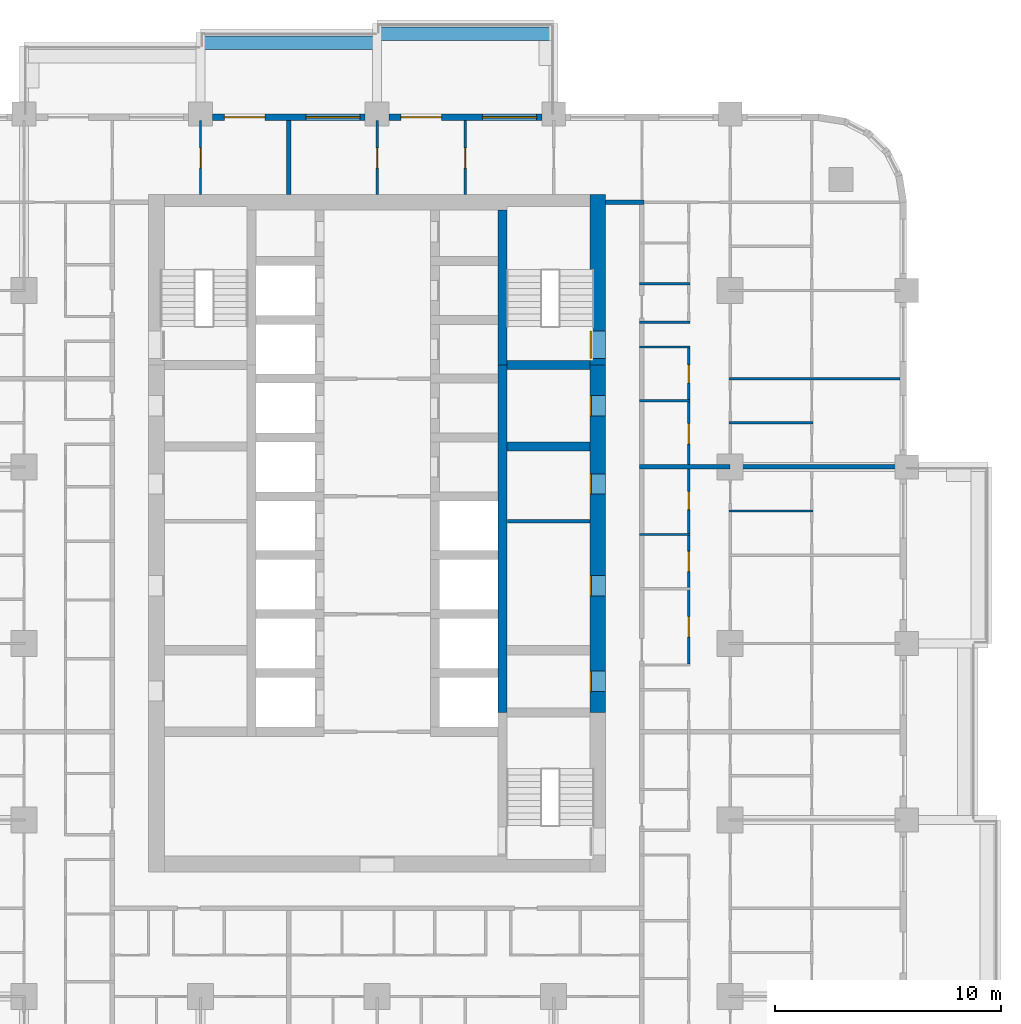
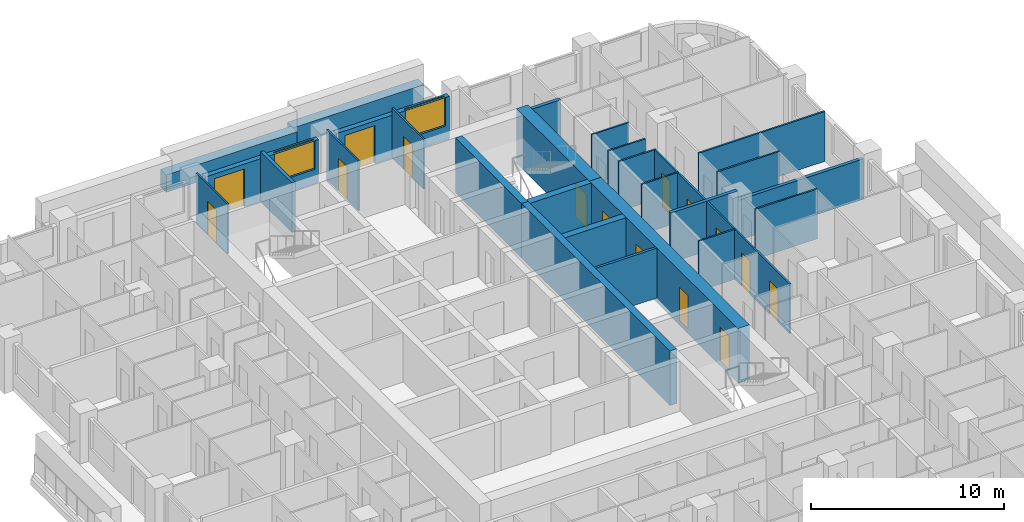
# One storey, part 12 of 17: 27 walls, 15 doors, 2 windows, 17 openings.
"""IFC4 building model written with IfcOpenShell, lengths in metres."""

from ifc_helpers import new_model, si_unit, direction, frame, frame_2d, origin, place, context, subcontext, project, spatial, rectangle, extrude, material, layer, layer_set, type_object, element, fill, save


model = new_model("IFC4")

# Units and contexts
model_context = context("Model", 3, precision=1e-05, world=origin(), true_north=direction((0.0, 1.0)))
body_context = subcontext(model_context, "Body", "Model", "MODEL_VIEW")
ifc_project = project(units=[si_unit("LENGTHUNIT", "METRE"), si_unit("AREAUNIT", "SQUARE_METRE"), si_unit("VOLUMEUNIT", "CUBIC_METRE"), si_unit("PLANEANGLEUNIT", "RADIAN"), si_unit("MASSUNIT", "GRAM", prefix="KILO")], contexts=[model_context])

# Site, building, storey
site_placement = place(None, origin())
site = spatial("IfcSite", under=ifc_project, at=site_placement, CompositionType="ELEMENT")
building_placement = place(site_placement, origin())
building = spatial("IfcBuilding", under=site, at=building_placement, Name="Ludao Terraces", CompositionType="ELEMENT")
storey_placement = place(building_placement, frame((0.0, 0.0, 51.199951171875)))
storey = spatial("IfcBuildingStorey", under=building, at=storey_placement, Name="L13", CompositionType="ELEMENT", Elevation=51.199951171875)

# Wall, openings, doors
ifc_material_1 = material(Name="Concrete C70", Category="concrete")
ifc_layer_1 = layer(ifc_material_1, 0.699951171875)
ifc_layer_set_1 = layer_set([ifc_layer_1], Name="Core wall 700 C70")
wall_type_1 = type_object("IfcWallType", Name="Core wall 700 C70", PredefinedType="SOLIDWALL", material=ifc_layer_set_1)
wall_1_placement = place(storey_placement, frame((94.75, 61.949951171875, -0.300048828125), z_axis=(0.0, 0.0, 1.0), x_axis=(0.0, 1.0, 0.0)))
wall_1 = element("IfcWall", 1, at=wall_1_placement, inside=storey, type_object=wall_type_1, Name="Core wall L13 outer-E", PredefinedType="SOLIDWALL", context=body_context, shape_type="SweptSolid", body=[
    extrude(rectangle(XDim=15.35009765625, YDim=0.699951171875, at=frame_2d((7.675048828125, 0.0))), origin(), (0.0, 0.0, 1.0), 3.4501953125),
])
opening_1_placement = place(wall_1_placement, frame((0.925048828125, 0.0, 0.300048828125)))
opening_1 = element("IfcOpeningElement", 2, at=opening_1_placement, cuts=wall_1, Name="Opening R04-081", PredefinedType="OPENING", context=body_context, shape_type="SweptSolid", body=[
    extrude(rectangle(XDim=0.89990234375, YDim=2.10009765625, at=frame_2d((0.449951171875, 1.050048828125))), frame((0.0, 0.35986328125, 0.0), z_axis=(0.0, -1.0, 0.0), x_axis=(1.0, 0.0, 0.0)), (0.0, 0.0, 1.0), 0.719970703125),
])
opening_2_placement = place(wall_1_placement, frame((5.14990234375, 0.0, 0.300048828125)))
opening_2 = element("IfcOpeningElement", 3, at=opening_2_placement, cuts=wall_1, Name="Opening R04-091", PredefinedType="OPENING", context=body_context, shape_type="SweptSolid", body=[
    extrude(rectangle(XDim=0.89990234375, YDim=2.10009765625, at=frame_2d((0.449951171875, 1.050048828125))), frame((0.0, 0.35986328125, 0.0), z_axis=(0.0, -1.0, 0.0), x_axis=(1.0, 0.0, 0.0)), (0.0, 0.0, 1.0), 0.719970703125),
])
opening_3_placement = place(wall_1_placement, frame((9.64990234375, 0.0, 0.300048828125)))
opening_3 = element("IfcOpeningElement", 4, at=opening_3_placement, cuts=wall_1, Name="Opening R04-108", PredefinedType="OPENING", context=body_context, shape_type="SweptSolid", body=[
    extrude(rectangle(XDim=0.89990234375, YDim=2.10009765625, at=frame_2d((0.449951171875, 1.050048828125))), frame((0.0, 0.35986328125, 0.0), z_axis=(0.0, -1.0, 0.0), x_axis=(1.0, 0.0, 0.0)), (0.0, 0.0, 1.0), 0.719970703125),
])
opening_4_placement = place(wall_1_placement, frame((13.10009765625, 0.0, 0.300048828125)))
opening_4 = element("IfcOpeningElement", 5, at=opening_4_placement, cuts=wall_1, Name="Opening R04-118", PredefinedType="OPENING", context=body_context, shape_type="SweptSolid", body=[
    extrude(rectangle(XDim=0.89990234375, YDim=2.10009765625, at=frame_2d((0.449951171875, 1.050048828125))), frame((0.0, 0.35986328125, 0.0), z_axis=(0.0, -1.0, 0.0), x_axis=(1.0, 0.0, 0.0)), (0.0, 0.0, 1.0), 0.719970703125),
])
ifc_material_2 = material(Name="Steel Q235", Category="steel")
door_type_1 = type_object("IfcDoorType", Name="INT Riser door 900", OperationType="SINGLE_SWING_LEFT", PredefinedType="DOOR", material=ifc_material_2)
door_1_placement = place(opening_1_placement, origin())
door_1 = element("IfcDoor", 6, at=door_1_placement, inside=storey, type_object=door_type_1, Name="DOOR 081", OperationType="SINGLE_SWING_LEFT", OverallHeight=2.10009765625, OverallWidth=0.89990234375, PredefinedType="DOOR", context=body_context, shape_type="SweptSolid", body=[
    extrude(rectangle(XDim=0.89990234375, YDim=2.10009765625, at=frame_2d((0.449951171875, 1.050048828125))), frame((0.0, 0.3349609375, 0.0), z_axis=(0.0, -1.0, 0.0), x_axis=(1.0, 0.0, 0.0)), (0.0, 0.0, 1.0), 0.050048828125),
])
fill(opening_1, door_1)
door_2_placement = place(opening_4_placement, origin())
door_2 = element("IfcDoor", 7, at=door_2_placement, inside=storey, type_object=door_type_1, Name="DOOR 118", OperationType="SINGLE_SWING_LEFT", OverallHeight=2.10009765625, OverallWidth=0.89990234375, PredefinedType="DOOR", context=body_context, shape_type="SweptSolid", body=[
    extrude(rectangle(XDim=0.89990234375, YDim=2.10009765625, at=frame_2d((0.449951171875, 1.050048828125))), frame((0.0, 0.3349609375, 0.0), z_axis=(0.0, -1.0, 0.0), x_axis=(1.0, 0.0, 0.0)), (0.0, 0.0, 1.0), 0.050048828125),
])
fill(opening_4, door_2)
ifc_material_3 = material(Name="Timber door leaf", Category="wood")
door_type_2 = type_object("IfcDoorType", Name="INT Room door 900", OperationType="SINGLE_SWING_LEFT", PredefinedType="DOOR", material=ifc_material_3)
door_3_placement = place(opening_2_placement, origin())
door_3 = element("IfcDoor", 8, at=door_3_placement, inside=storey, type_object=door_type_2, Name="DOOR 091", OperationType="SINGLE_SWING_LEFT", OverallHeight=2.10009765625, OverallWidth=0.89990234375, PredefinedType="DOOR", context=body_context, shape_type="SweptSolid", body=[
    extrude(rectangle(XDim=0.89990234375, YDim=2.10009765625, at=frame_2d((0.449951171875, 1.050048828125))), frame((0.0, 0.3349609375, 0.0), z_axis=(0.0, -1.0, 0.0), x_axis=(1.0, 0.0, 0.0)), (0.0, 0.0, 1.0), 0.050048828125),
])
fill(opening_2, door_3)
door_4_placement = place(opening_3_placement, origin())
door_4 = element("IfcDoor", 9, at=door_4_placement, inside=storey, type_object=door_type_2, Name="DOOR 108", OperationType="SINGLE_SWING_RIGHT", OverallHeight=2.10009765625, OverallWidth=0.89990234375, PredefinedType="DOOR", context=body_context, shape_type="SweptSolid", body=[
    extrude(rectangle(XDim=0.89990234375, YDim=2.10009765625, at=frame_2d((0.449951171875, 1.050048828125))), frame((0.0, 0.3349609375, 0.0), z_axis=(0.0, -1.0, 0.0), x_axis=(1.0, 0.0, 0.0)), (0.0, 0.0, 1.0), 0.050048828125),
])
fill(opening_3, door_4)

# Wall, opening, door
wall_2_placement = place(storey_placement, frame((94.75, 77.300048828125, -0.300048828125), z_axis=(0.0, 0.0, 1.0), x_axis=(0.0, 1.0, 0.0)))
wall_2 = element("IfcWall", 10, at=wall_2_placement, inside=storey, type_object=wall_type_1, Name="Core wall L13 outer-E-S2", PredefinedType="SOLIDWALL", context=body_context, shape_type="SweptSolid", body=[
    extrude(rectangle(XDim=7.550048828125, YDim=0.699951171875, at=frame_2d((3.77490234375, 0.0))), origin(), (0.0, 0.0, 1.0), 3.4501953125),
])
opening_5_placement = place(wall_2_placement, frame((0.300048828125, 0.0, 0.300048828125)))
opening_5 = element("IfcOpeningElement", 11, at=opening_5_placement, cuts=wall_2, Name="Opening R04-132", PredefinedType="OPENING", context=body_context, shape_type="SweptSolid", body=[
    extrude(rectangle(XDim=1.199951171875, YDim=2.10009765625, at=frame_2d((0.60009765625, 1.050048828125))), frame((0.0, 0.35986328125, 0.0), z_axis=(0.0, -1.0, 0.0), x_axis=(1.0, 0.0, 0.0)), (0.0, 0.0, 1.0), 0.719970703125),
])
door_type_3 = type_object("IfcDoorType", Name="INT Stair door 1200", OperationType="DOUBLE_DOOR_SINGLE_SWING", PredefinedType="DOOR", material=ifc_material_2)
door_5_placement = place(opening_5_placement, origin())
door_5 = element("IfcDoor", 12, at=door_5_placement, inside=storey, type_object=door_type_3, Name="DOOR 132", OperationType="DOUBLE_DOOR_SINGLE_SWING", OverallHeight=2.10009765625, OverallWidth=1.199951171875, PredefinedType="DOOR", context=body_context, shape_type="SweptSolid", body=[
    extrude(rectangle(XDim=1.199951171875, YDim=2.10009765625, at=frame_2d((0.60009765625, 1.050048828125))), frame((0.0, 0.3349609375, 0.0), z_axis=(0.0, -1.0, 0.0), x_axis=(1.0, 0.0, 0.0)), (0.0, 0.0, 1.0), 0.050048828125),
])
fill(opening_5, door_5)

# Walls
ifc_material_4 = material(Name="Concrete C40", Category="concrete")
ifc_layer_2 = layer(ifc_material_4, 0.60009765625)
ifc_layer_set_2 = layer_set([ifc_layer_2], Name="ENV Planter trough 600")
wall_type_2 = type_object("IfcWallType", Name="ENV Planter trough 600", PredefinedType="USERDEFINED", material=ifc_layer_set_2)
for number, where, z_axis, x_axis, name in (
    (13, (77.199951171875, 91.550048828125, 0.0), (0.0, 0.0, 1.0), (1.0, 0.0, 0.0), "PL-L13-N2"),
    (14, (85.0, 91.949951171875, 0.0), (0.0, 0.0, 1.0), (1.0, 0.0, 0.0), "PL-L13-N3"),
):
    element("IfcWall", number, at=place(storey_placement, frame(where, z_axis=z_axis, x_axis=x_axis)), inside=storey, type_object=wall_type_2, Name=name, ObjectType="PLANTER", PredefinedType="USERDEFINED", context=body_context, shape_type="SweptSolid", body=[
        extrude(rectangle(XDim=7.800048828125, YDim=0.60009765625, at=frame_2d((3.89990234375, 0.0))), origin(), (0.0, 0.0, 1.0), 1.10009765625),
    ])

# Wall, openings, door, window
ifc_material_5 = material(Name="Granite cladding", Category="masonry")
ifc_layer_3 = layer(ifc_material_5, 0.0400390625, Category="stone")
ifc_material_6 = material(Name="Mineral wool")
ifc_layer_4 = layer(ifc_material_6, 0.06005859375)
ifc_layer_5 = layer(ifc_material_4, 0.199951171875, Category="concrete")
ifc_layer_set_3 = layer_set([ifc_layer_3, ifc_layer_4, ifc_layer_5], Name="ENV Stone-clad wall 300")
wall_type_3 = type_object("IfcWallType", Name="ENV Stone-clad wall 300", PredefinedType="SOLIDWALL", material=ifc_layer_set_3)
wall_3_placement = place(storey_placement, frame((77.72509765625, 88.25, 0.0), z_axis=(0.0, 0.0, 1.0), x_axis=(1.0, 0.0, 0.0)))
wall_3 = element("IfcWall", 15, at=wall_3_placement, inside=storey, type_object=wall_type_3, Name="EW-L13-N3", PredefinedType="SOLIDWALL", context=body_context, shape_type="SweptSolid", body=[
    extrude(rectangle(XDim=6.75, YDim=0.300048828125, at=frame_2d((3.375, 0.0))), origin(), (0.0, 0.0, 1.0), 2.699951171875),
])
opening_6_placement = place(wall_3_placement, frame((0.52490234375, 0.0, 0.0)))
opening_6 = element("IfcOpeningElement", 16, at=opening_6_placement, cuts=wall_3, Name="Opening BD", PredefinedType="OPENING", context=body_context, shape_type="SweptSolid", body=[
    extrude(rectangle(XDim=1.800048828125, YDim=2.39990234375, at=frame_2d((0.89990234375, 1.199951171875))), frame((0.0, 0.16015625, 0.0), z_axis=(0.0, -1.0, 0.0), x_axis=(1.0, 0.0, 0.0)), (0.0, 0.0, 1.0), 0.320068359375),
])
opening_7_placement = place(wall_3_placement, frame((4.125, 0.0, 0.89990234375)))
opening_7 = element("IfcOpeningElement", 17, at=opening_7_placement, cuts=wall_3, Name="Opening W1", PredefinedType="OPENING", context=body_context, shape_type="SweptSolid", body=[
    extrude(rectangle(XDim=2.39990234375, YDim=1.800048828125, at=frame_2d((1.199951171875, 0.89990234375))), frame((0.0, 0.16015625, 0.0), z_axis=(0.0, -1.0, 0.0), x_axis=(1.0, 0.0, 0.0)), (0.0, 0.0, 1.0), 0.320068359375),
])
ifc_material_7 = material(Name="Aluminium glazed door", Category="aluminium")
ifc_layer_6 = layer(ifc_material_7, 0.06005859375)
ifc_layer_set_4 = layer_set([ifc_layer_6], Name="ENV Balcony door BD 1800x2400")
door_type_4 = type_object("IfcDoorType", Name="ENV Balcony door BD 1800x2400", OperationType="DOUBLE_DOOR_SINGLE_SWING", PredefinedType="DOOR", material=ifc_layer_set_4)
door_6_placement = place(opening_6_placement, origin())
door_6 = element("IfcDoor", 18, at=door_6_placement, inside=storey, type_object=door_type_4, Name="BD-L13-N3-1", OperationType="DOUBLE_DOOR_SINGLE_SWING", OverallHeight=2.39990234375, OverallWidth=1.800048828125, PredefinedType="DOOR", context=body_context, shape_type="SweptSolid", body=[
    extrude(rectangle(XDim=1.800048828125, YDim=2.39990234375, at=frame_2d((0.89990234375, 1.199951171875))), frame((0.0, 0.02490234375, 0.0), z_axis=(0.0, -1.0, 0.0), x_axis=(1.0, 0.0, 0.0)), (0.0, 0.0, 1.0), 0.050048828125),
])
fill(opening_6, door_6)
ifc_material_8 = material(Name="Clear glass in aluminium frame", Category="aluminium")
ifc_layer_7 = layer(ifc_material_8, 0.06005859375)
ifc_layer_set_5 = layer_set([ifc_layer_7], Name="ENV Window W1 2400x1800")
window_type = type_object("IfcWindowType", Name="ENV Window W1 2400x1800", PartitioningType="DOUBLE_PANEL_VERTICAL", PredefinedType="WINDOW", material=ifc_layer_set_5)
window_1_placement = place(opening_7_placement, origin())
window_1 = element("IfcWindow", 19, at=window_1_placement, inside=storey, type_object=window_type, Name="W-L13-N3-2", OverallHeight=1.800048828125, OverallWidth=2.39990234375, PartitioningType="DOUBLE_PANEL_VERTICAL", PredefinedType="WINDOW", context=body_context, shape_type="SweptSolid", body=[
    extrude(rectangle(XDim=2.39990234375, YDim=1.800048828125, at=frame_2d((1.199951171875, 0.89990234375))), frame((0.0, 0.030029296875, 0.0), z_axis=(0.0, -1.0, 0.0), x_axis=(1.0, 0.0, 0.0)), (0.0, 0.0, 1.0), 0.06005859375),
])
fill(opening_7, window_1)

wall_4_placement = place(storey_placement, frame((85.52490234375, 88.25, 0.0), z_axis=(0.0, 0.0, 1.0), x_axis=(1.0, 0.0, 0.0)))
wall_4 = element("IfcWall", 20, at=wall_4_placement, inside=storey, type_object=wall_type_3, Name="EW-L13-N4", PredefinedType="SOLIDWALL", context=body_context, shape_type="SweptSolid", body=[
    extrude(rectangle(XDim=6.75, YDim=0.300048828125, at=frame_2d((3.375, 0.0))), origin(), (0.0, 0.0, 1.0), 2.699951171875),
])
opening_8_placement = place(wall_4_placement, frame((0.52490234375, 0.0, 0.0)))
opening_8 = element("IfcOpeningElement", 21, at=opening_8_placement, cuts=wall_4, Name="Opening BD", PredefinedType="OPENING", context=body_context, shape_type="SweptSolid", body=[
    extrude(rectangle(XDim=1.800048828125, YDim=2.39990234375, at=frame_2d((0.89990234375, 1.199951171875))), frame((0.0, 0.16015625, 0.0), z_axis=(0.0, -1.0, 0.0), x_axis=(1.0, 0.0, 0.0)), (0.0, 0.0, 1.0), 0.320068359375),
])
opening_9_placement = place(wall_4_placement, frame((4.125, 0.0, 0.89990234375)))
opening_9 = element("IfcOpeningElement", 22, at=opening_9_placement, cuts=wall_4, Name="Opening W1", PredefinedType="OPENING", context=body_context, shape_type="SweptSolid", body=[
    extrude(rectangle(XDim=2.39990234375, YDim=1.800048828125, at=frame_2d((1.199951171875, 0.89990234375))), frame((0.0, 0.16015625, 0.0), z_axis=(0.0, -1.0, 0.0), x_axis=(1.0, 0.0, 0.0)), (0.0, 0.0, 1.0), 0.320068359375),
])
door_7_placement = place(opening_8_placement, origin())
door_7 = element("IfcDoor", 23, at=door_7_placement, inside=storey, type_object=door_type_4, Name="BD-L13-N4-1", OperationType="DOUBLE_DOOR_SINGLE_SWING", OverallHeight=2.39990234375, OverallWidth=1.800048828125, PredefinedType="DOOR", context=body_context, shape_type="SweptSolid", body=[
    extrude(rectangle(XDim=1.800048828125, YDim=2.39990234375, at=frame_2d((0.89990234375, 1.199951171875))), frame((0.0, 0.02490234375, 0.0), z_axis=(0.0, -1.0, 0.0), x_axis=(1.0, 0.0, 0.0)), (0.0, 0.0, 1.0), 0.050048828125),
])
fill(opening_8, door_7)
window_2_placement = place(opening_9_placement, origin())
window_2 = element("IfcWindow", 24, at=window_2_placement, inside=storey, type_object=window_type, Name="W-L13-N4-2", OverallHeight=1.800048828125, OverallWidth=2.39990234375, PartitioningType="DOUBLE_PANEL_VERTICAL", PredefinedType="WINDOW", context=body_context, shape_type="SweptSolid", body=[
    extrude(rectangle(XDim=2.39990234375, YDim=1.800048828125, at=frame_2d((1.199951171875, 0.89990234375))), frame((0.0, 0.030029296875, 0.0), z_axis=(0.0, -1.0, 0.0), x_axis=(1.0, 0.0, 0.0)), (0.0, 0.0, 1.0), 0.06005859375),
])
fill(opening_9, window_2)

# Walls
ifc_material_9 = material(Name="Fire-rated gypsum plasterboard", Category="gypsum")
ifc_layer_8 = layer(ifc_material_9, 0.012451171875, Category="gypsum")
ifc_layer_9 = layer(ifc_material_6, 0.10009765625, Name="insulation")
ifc_layer_10 = layer(ifc_material_2, 0.02490234375, Name="stud")
ifc_layer_11 = layer(ifc_material_9, 0.012451171875, Category="gypsum")
ifc_layer_set_6 = layer_set([ifc_layer_8, ifc_layer_9, ifc_layer_10, ifc_layer_11], Name="INT Core partition 150")
wall_type_4 = type_object("IfcWallType", Name="INT Core partition 150", PredefinedType="PARTITIONING", material=ifc_layer_set_6)
wall_5_placement = place(storey_placement, frame((90.75, 70.39990234375, 0.0), z_axis=(0.0, 0.0, 1.0), x_axis=(1.0, 0.0, 0.0)))
element("IfcWall", 25, at=wall_5_placement, inside=storey, type_object=wall_type_4, Name="PW-L13-PW050", PredefinedType="PARTITIONING", context=body_context, shape_type="SweptSolid", body=[
    extrude(rectangle(XDim=3.650146484375, YDim=0.14990234375, at=frame_2d((1.8251953125, 0.0))), origin(), (0.0, 0.0, 1.0), 3.150146484375),
])
ifc_material_10 = material(Name="Autoclaved aerated concrete block B06 A3.5", Category="concrete")
ifc_layer_12 = layer(ifc_material_10, 0.199951171875)
ifc_layer_set_7 = layer_set([ifc_layer_12], Name="INT Entrance wall 200")
wall_type_5 = type_object("IfcWallType", Name="INT Entrance wall 200", PredefinedType="PARTITIONING", material=ifc_layer_set_7)
wall_6_placement = place(storey_placement, frame((95.10009765625, 84.5, 0.0), z_axis=(0.0, 0.0, 1.0), x_axis=(1.0, 0.0, 0.0)))
element("IfcWall", 26, at=wall_6_placement, inside=storey, type_object=wall_type_5, Name="PW-L13-PW078", PredefinedType="PARTITIONING", context=body_context, shape_type="SweptSolid", body=[
    extrude(rectangle(XDim=1.699951171875, YDim=0.199951171875, at=frame_2d((0.85009765625, 0.0))), origin(), (0.0, 0.0, 1.0), 3.150146484375),
])
ifc_material_11 = material(Name="Gypsum plasterboard", Category="gypsum")
ifc_layer_13 = layer(ifc_material_11, 0.012451171875, Category="gypsum")
ifc_layer_14 = layer(ifc_material_6, 0.06005859375, Name="insulation")
ifc_layer_15 = layer(ifc_material_2, 0.014892578125, Name="stud")
ifc_layer_16 = layer(ifc_material_11, 0.012451171875, Category="gypsum")
ifc_layer_set_8 = layer_set([ifc_layer_13, ifc_layer_14, ifc_layer_15, ifc_layer_16], Name="INT Partition 100")
wall_type_6 = type_object("IfcWallType", Name="INT Partition 100", PredefinedType="PARTITIONING", material=ifc_layer_set_8)
wall_7_placement = place(storey_placement, frame((96.60009765625, 69.820068359375, 0.0), z_axis=(0.0, 0.0, 1.0), x_axis=(1.0, 0.0, 0.0)))
element("IfcWall", 27, at=wall_7_placement, inside=storey, type_object=wall_type_6, Name="PW-L13-PW048", PredefinedType="PARTITIONING", context=body_context, shape_type="SweptSolid", body=[
    extrude(rectangle(XDim=2.219970703125, YDim=0.10009765625, at=frame_2d((1.10986328125, 0.0))), origin(), (0.0, 0.0, 1.0), 3.150146484375),
])
for number, where, z_axis, x_axis, name in (
    (28, (100.550048828125, 70.85009765625, 0.0), (0.0, 0.0, 1.0), (1.0, 0.0, 0.0), "PW-L13-PW052"),
    (29, (100.550048828125, 74.75, 0.0), (0.0, 0.0, 1.0), (1.0, 0.0, 0.0), "PW-L13-PW059"),
):
    element("IfcWall", number, at=place(storey_placement, frame(where, z_axis=z_axis, x_axis=x_axis)), inside=storey, type_object=wall_type_6, Name=name, PredefinedType="PARTITIONING", context=body_context, shape_type="SweptSolid", body=[
        extrude(rectangle(XDim=3.699951171875, YDim=0.10009765625, at=frame_2d((1.85009765625, 0.0))), origin(), (0.0, 0.0, 1.0), 3.150146484375),
    ])
wall_8_placement = place(storey_placement, frame((96.60009765625, 75.719970703125, 0.0), z_axis=(0.0, 0.0, 1.0), x_axis=(1.0, 0.0, 0.0)))
element("IfcWall", 30, at=wall_8_placement, inside=storey, type_object=wall_type_6, Name="PW-L13-PW061", PredefinedType="PARTITIONING", context=body_context, shape_type="SweptSolid", body=[
    extrude(rectangle(XDim=2.219970703125, YDim=0.10009765625, at=frame_2d((1.10986328125, 0.0))), origin(), (0.0, 0.0, 1.0), 3.150146484375),
])
wall_9_placement = place(storey_placement, frame((100.550048828125, 76.699951171875, 0.0), z_axis=(0.0, 0.0, 1.0), x_axis=(1.0, 0.0, 0.0)))
element("IfcWall", 31, at=wall_9_placement, inside=storey, type_object=wall_type_6, Name="PW-L13-PW064", PredefinedType="PARTITIONING", context=body_context, shape_type="SweptSolid", body=[
    extrude(rectangle(XDim=7.550048828125, YDim=0.10009765625, at=frame_2d((3.77490234375, 0.0))), origin(), (0.0, 0.0, 1.0), 3.150146484375),
])
for number, where, z_axis, x_axis, name in (
    (32, (96.60009765625, 78.10009765625, 0.0), (0.0, 0.0, 1.0), (1.0, 0.0, 0.0), "PW-L13-PW065"),
    (33, (96.60009765625, 79.199951171875, 0.0), (0.0, 0.0, 1.0), (1.0, 0.0, 0.0), "PW-L13-PW068"),
    (34, (96.60009765625, 80.89990234375, 0.0), (0.0, 0.0, 1.0), (1.0, 0.0, 0.0), "PW-L13-PW072"),
):
    element("IfcWall", number, at=place(storey_placement, frame(where, z_axis=z_axis, x_axis=x_axis)), inside=storey, type_object=wall_type_6, Name=name, PredefinedType="PARTITIONING", context=body_context, shape_type="SweptSolid", body=[
        extrude(rectangle(XDim=2.219970703125, YDim=0.10009765625, at=frame_2d((1.10986328125, 0.0))), origin(), (0.0, 0.0, 1.0), 3.150146484375),
    ])

# Wall, opening, door
wall_10_placement = place(storey_placement, frame((77.199951171875, 84.85009765625, 0.0), z_axis=(0.0, 0.0, 1.0), x_axis=(0.0, 1.0, 0.0)))
wall_10 = element("IfcWall", 35, at=wall_10_placement, inside=storey, type_object=wall_type_6, Name="PW-L13-PW095", PredefinedType="PARTITIONING", context=body_context, shape_type="SweptSolid", body=[
    extrude(rectangle(XDim=3.25, YDim=0.10009765625, at=frame_2d((1.625, 0.0))), origin(), (0.0, 0.0, 1.0), 3.150146484375),
])
opening_10_placement = place(wall_10_placement, frame((1.14990234375, 0.0, 0.0)))
opening_10 = element("IfcOpeningElement", 36, at=opening_10_placement, cuts=wall_10, Name="Opening R04-158", PredefinedType="OPENING", context=body_context, shape_type="SweptSolid", body=[
    extrude(rectangle(XDim=0.89990234375, YDim=2.10009765625, at=frame_2d((0.449951171875, 1.050048828125))), frame((0.0, 0.06005859375, 0.0), z_axis=(0.0, -1.0, 0.0), x_axis=(1.0, 0.0, 0.0)), (0.0, 0.0, 1.0), 0.1201171875),
])
door_8_placement = place(opening_10_placement, origin())
door_8 = element("IfcDoor", 37, at=door_8_placement, inside=storey, type_object=door_type_2, Name="DOOR 158", OperationType="SINGLE_SWING_RIGHT", OverallHeight=2.10009765625, OverallWidth=0.89990234375, PredefinedType="DOOR", context=body_context, shape_type="SweptSolid", body=[
    extrude(rectangle(XDim=0.89990234375, YDim=2.10009765625, at=frame_2d((0.449951171875, 1.050048828125))), frame((0.0, 0.02490234375, 0.0), z_axis=(0.0, -1.0, 0.0), x_axis=(1.0, 0.0, 0.0)), (0.0, 0.0, 1.0), 0.050048828125),
])
fill(opening_10, door_8)

wall_11_placement = place(storey_placement, frame((85.0, 84.85009765625, 0.0), z_axis=(0.0, 0.0, 1.0), x_axis=(0.0, 1.0, 0.0)))
wall_11 = element("IfcWall", 38, at=wall_11_placement, inside=storey, type_object=wall_type_6, Name="PW-L13-PW102", PredefinedType="PARTITIONING", context=body_context, shape_type="SweptSolid", body=[
    extrude(rectangle(XDim=3.25, YDim=0.10009765625, at=frame_2d((1.625, 0.0))), origin(), (0.0, 0.0, 1.0), 3.150146484375),
])
opening_11_placement = place(wall_11_placement, frame((1.14990234375, 0.0, 0.0)))
opening_11 = element("IfcOpeningElement", 39, at=opening_11_placement, cuts=wall_11, Name="Opening R04-159", PredefinedType="OPENING", context=body_context, shape_type="SweptSolid", body=[
    extrude(rectangle(XDim=0.89990234375, YDim=2.10009765625, at=frame_2d((0.449951171875, 1.050048828125))), frame((0.0, 0.06005859375, 0.0), z_axis=(0.0, -1.0, 0.0), x_axis=(1.0, 0.0, 0.0)), (0.0, 0.0, 1.0), 0.1201171875),
])
door_9_placement = place(opening_11_placement, origin())
door_9 = element("IfcDoor", 40, at=door_9_placement, inside=storey, type_object=door_type_2, Name="DOOR 159", OperationType="SINGLE_SWING_LEFT", OverallHeight=2.10009765625, OverallWidth=0.89990234375, PredefinedType="DOOR", context=body_context, shape_type="SweptSolid", body=[
    extrude(rectangle(XDim=0.89990234375, YDim=2.10009765625, at=frame_2d((0.449951171875, 1.050048828125))), frame((0.0, 0.02490234375, 0.0), z_axis=(0.0, -1.0, 0.0), x_axis=(1.0, 0.0, 0.0)), (0.0, 0.0, 1.0), 0.050048828125),
])
fill(opening_11, door_9)

wall_12_placement = place(storey_placement, frame((88.89990234375, 84.85009765625, 0.0), z_axis=(0.0, 0.0, 1.0), x_axis=(0.0, 1.0, 0.0)))
wall_12 = element("IfcWall", 41, at=wall_12_placement, inside=storey, type_object=wall_type_6, Name="PW-L13-PW107", PredefinedType="PARTITIONING", context=body_context, shape_type="SweptSolid", body=[
    extrude(rectangle(XDim=3.25, YDim=0.10009765625, at=frame_2d((1.625, 0.0))), origin(), (0.0, 0.0, 1.0), 3.150146484375),
])
opening_12_placement = place(wall_12_placement, frame((1.14990234375, 0.0, 0.0)))
opening_12 = element("IfcOpeningElement", 42, at=opening_12_placement, cuts=wall_12, Name="Opening R04-160", PredefinedType="OPENING", context=body_context, shape_type="SweptSolid", body=[
    extrude(rectangle(XDim=0.89990234375, YDim=2.10009765625, at=frame_2d((0.449951171875, 1.050048828125))), frame((0.0, 0.06005859375, 0.0), z_axis=(0.0, -1.0, 0.0), x_axis=(1.0, 0.0, 0.0)), (0.0, 0.0, 1.0), 0.1201171875),
])
door_10_placement = place(opening_12_placement, origin())
door_10 = element("IfcDoor", 43, at=door_10_placement, inside=storey, type_object=door_type_2, Name="DOOR 160", OperationType="SINGLE_SWING_RIGHT", OverallHeight=2.10009765625, OverallWidth=0.89990234375, PredefinedType="DOOR", context=body_context, shape_type="SweptSolid", body=[
    extrude(rectangle(XDim=0.89990234375, YDim=2.10009765625, at=frame_2d((0.449951171875, 1.050048828125))), frame((0.0, 0.02490234375, 0.0), z_axis=(0.0, -1.0, 0.0), x_axis=(1.0, 0.0, 0.0)), (0.0, 0.0, 1.0), 0.050048828125),
])
fill(opening_12, door_10)

# Wall, openings, doors
wall_13_placement = place(storey_placement, frame((98.77001953125, 64.10009765625, 0.0), z_axis=(0.0, 0.0, 1.0), x_axis=(0.0, 1.0, 0.0)))
wall_13 = element("IfcWall", 44, at=wall_13_placement, inside=storey, type_object=wall_type_6, Name="PW-L13-PW118", PredefinedType="PARTITIONING", context=body_context, shape_type="SweptSolid", body=[
    extrude(rectangle(XDim=13.949951171875, YDim=0.10009765625, at=frame_2d((6.97509765625, 0.0))), origin(), (0.0, 0.0, 1.0), 3.150146484375),
])
opening_13_placement = place(wall_13_placement, frame((1.18505859375, 0.0, 0.0)))
opening_13 = element("IfcOpeningElement", 45, at=opening_13_placement, cuts=wall_13, Name="Opening R04-085", PredefinedType="OPENING", context=body_context, shape_type="SweptSolid", body=[
    extrude(rectangle(XDim=0.89990234375, YDim=2.10009765625, at=frame_2d((0.449951171875, 1.050048828125))), frame((0.0, 0.06005859375, 0.0), z_axis=(0.0, -1.0, 0.0), x_axis=(1.0, 0.0, 0.0)), (0.0, 0.0, 1.0), 0.1201171875),
])
opening_14_placement = place(wall_13_placement, frame((4.070068359375, 0.0, 0.0)))
opening_14 = element("IfcOpeningElement", 46, at=opening_14_placement, cuts=wall_13, Name="Opening R04-096", PredefinedType="OPENING", context=body_context, shape_type="SweptSolid", body=[
    extrude(rectangle(XDim=0.89990234375, YDim=2.10009765625, at=frame_2d((0.449951171875, 1.050048828125))), frame((0.0, 0.06005859375, 0.0), z_axis=(0.0, -1.0, 0.0), x_axis=(1.0, 0.0, 0.0)), (0.0, 0.0, 1.0), 0.1201171875),
])
opening_15_placement = place(wall_13_placement, frame((6.81005859375, 0.0, 0.0)))
opening_15 = element("IfcOpeningElement", 47, at=opening_15_placement, cuts=wall_13, Name="Opening R04-101", PredefinedType="OPENING", context=body_context, shape_type="SweptSolid", body=[
    extrude(rectangle(XDim=0.800048828125, YDim=2.10009765625, at=frame_2d((0.39990234375, 1.050048828125))), frame((0.0, 0.06005859375, 0.0), z_axis=(0.0, -1.0, 0.0), x_axis=(1.0, 0.0, 0.0)), (0.0, 0.0, 1.0), 0.1201171875),
])
opening_16_placement = place(wall_13_placement, frame((9.7099609375, 0.0, 0.0)))
opening_16 = element("IfcOpeningElement", 48, at=opening_16_placement, cuts=wall_13, Name="Opening R04-114", PredefinedType="OPENING", context=body_context, shape_type="SweptSolid", body=[
    extrude(rectangle(XDim=0.89990234375, YDim=2.10009765625, at=frame_2d((0.449951171875, 1.050048828125))), frame((0.0, 0.06005859375, 0.0), z_axis=(0.0, -1.0, 0.0), x_axis=(1.0, 0.0, 0.0)), (0.0, 0.0, 1.0), 0.1201171875),
])
opening_17_placement = place(wall_13_placement, frame((12.409912109375, 0.0, 0.0)))
opening_17 = element("IfcOpeningElement", 49, at=opening_17_placement, cuts=wall_13, Name="Opening R04-126", PredefinedType="OPENING", context=body_context, shape_type="SweptSolid", body=[
    extrude(rectangle(XDim=0.800048828125, YDim=2.10009765625, at=frame_2d((0.39990234375, 1.050048828125))), frame((0.0, 0.06005859375, 0.0), z_axis=(0.0, -1.0, 0.0), x_axis=(1.0, 0.0, 0.0)), (0.0, 0.0, 1.0), 0.1201171875),
])
door_type_5 = type_object("IfcDoorType", Name="INT Bathroom door 900", OperationType="SINGLE_SWING_LEFT", PredefinedType="DOOR", material=ifc_material_3)
door_11_placement = place(opening_14_placement, origin())
door_11 = element("IfcDoor", 50, at=door_11_placement, inside=storey, type_object=door_type_5, Name="DOOR 096", OperationType="SINGLE_SWING_LEFT", OverallHeight=2.10009765625, OverallWidth=0.89990234375, PredefinedType="DOOR", context=body_context, shape_type="SweptSolid", body=[
    extrude(rectangle(XDim=0.89990234375, YDim=2.10009765625, at=frame_2d((0.449951171875, 1.050048828125))), frame((0.0, 0.02490234375, 0.0), z_axis=(0.0, -1.0, 0.0), x_axis=(1.0, 0.0, 0.0)), (0.0, 0.0, 1.0), 0.050048828125),
])
fill(opening_14, door_11)
door_12_placement = place(opening_13_placement, origin())
door_12 = element("IfcDoor", 51, at=door_12_placement, inside=storey, type_object=door_type_2, Name="DOOR 085", OperationType="SINGLE_SWING_LEFT", OverallHeight=2.10009765625, OverallWidth=0.89990234375, PredefinedType="DOOR", context=body_context, shape_type="SweptSolid", body=[
    extrude(rectangle(XDim=0.89990234375, YDim=2.10009765625, at=frame_2d((0.449951171875, 1.050048828125))), frame((0.0, 0.02490234375, 0.0), z_axis=(0.0, -1.0, 0.0), x_axis=(1.0, 0.0, 0.0)), (0.0, 0.0, 1.0), 0.050048828125),
])
fill(opening_13, door_12)
door_13_placement = place(opening_16_placement, origin())
door_13 = element("IfcDoor", 52, at=door_13_placement, inside=storey, type_object=door_type_2, Name="DOOR 114", OperationType="SINGLE_SWING_LEFT", OverallHeight=2.10009765625, OverallWidth=0.89990234375, PredefinedType="DOOR", context=body_context, shape_type="SweptSolid", body=[
    extrude(rectangle(XDim=0.89990234375, YDim=2.10009765625, at=frame_2d((0.449951171875, 1.050048828125))), frame((0.0, 0.02490234375, 0.0), z_axis=(0.0, -1.0, 0.0), x_axis=(1.0, 0.0, 0.0)), (0.0, 0.0, 1.0), 0.050048828125),
])
fill(opening_16, door_13)
door_type_6 = type_object("IfcDoorType", Name="INT Store door 800", OperationType="SINGLE_SWING_LEFT", PredefinedType="DOOR", material=ifc_material_3)
door_14_placement = place(opening_15_placement, origin())
door_14 = element("IfcDoor", 53, at=door_14_placement, inside=storey, type_object=door_type_6, Name="DOOR 101", OperationType="SINGLE_SWING_RIGHT", OverallHeight=2.10009765625, OverallWidth=0.800048828125, PredefinedType="DOOR", context=body_context, shape_type="SweptSolid", body=[
    extrude(rectangle(XDim=0.800048828125, YDim=2.10009765625, at=frame_2d((0.39990234375, 1.050048828125))), frame((0.0, 0.02490234375, 0.0), z_axis=(0.0, -1.0, 0.0), x_axis=(1.0, 0.0, 0.0)), (0.0, 0.0, 1.0), 0.050048828125),
])
fill(opening_15, door_14)
door_15_placement = place(opening_17_placement, origin())
door_15 = element("IfcDoor", 54, at=door_15_placement, inside=storey, type_object=door_type_6, Name="DOOR 126", OperationType="SINGLE_SWING_RIGHT", OverallHeight=2.10009765625, OverallWidth=0.800048828125, PredefinedType="DOOR", context=body_context, shape_type="SweptSolid", body=[
    extrude(rectangle(XDim=0.800048828125, YDim=2.10009765625, at=frame_2d((0.39990234375, 1.050048828125))), frame((0.0, 0.02490234375, 0.0), z_axis=(0.0, -1.0, 0.0), x_axis=(1.0, 0.0, 0.0)), (0.0, 0.0, 1.0), 0.050048828125),
])
fill(opening_17, door_15)

# Walls
ifc_layer_17 = layer(ifc_material_10, 0.199951171875)
ifc_layer_set_9 = layer_set([ifc_layer_17], Name="INT Party wall 200")
wall_type_7 = type_object("IfcWallType", Name="INT Party wall 200", PredefinedType="PARTITIONING", material=ifc_layer_set_9)
wall_14_placement = place(storey_placement, frame((96.60009765625, 72.800048828125, 0.0), z_axis=(0.0, 0.0, 1.0), x_axis=(1.0, 0.0, 0.0)))
element("IfcWall", 55, at=wall_14_placement, inside=storey, type_object=wall_type_7, Name="PW-L13-PW056", PredefinedType="PARTITIONING", context=body_context, shape_type="SweptSolid", body=[
    extrude(rectangle(XDim=4.0, YDim=0.199951171875, at=frame_2d((2.0, 0.0))), origin(), (0.0, 0.0, 1.0), 3.150146484375),
])
wall_15_placement = place(storey_placement, frame((100.60009765625, 72.800048828125, 0.0), z_axis=(0.0, 0.0, 1.0), x_axis=(1.0, 0.0, 0.0)))
element("IfcWall", 56, at=wall_15_placement, inside=storey, type_object=wall_type_7, Name="PW-L13-PW056-2", PredefinedType="PARTITIONING", context=body_context, shape_type="SweptSolid", body=[
    extrude(rectangle(XDim=7.5, YDim=0.199951171875, at=frame_2d((3.75, 0.0))), origin(), (0.0, 0.0, 1.0), 2.550048828125),
])
wall_16_placement = place(storey_placement, frame((81.10009765625, 84.85009765625, 0.0), z_axis=(0.0, 0.0, 1.0), x_axis=(0.0, 1.0, 0.0)))
element("IfcWall", 57, at=wall_16_placement, inside=storey, type_object=wall_type_7, Name="PW-L13-PW098", PredefinedType="PARTITIONING", context=body_context, shape_type="SweptSolid", body=[
    extrude(rectangle(XDim=3.25, YDim=0.199951171875, at=frame_2d((1.625, 0.0))), origin(), (0.0, 0.0, 1.0), 3.150146484375),
])
ifc_material_12 = material(Name="Concrete C60", Category="concrete")
ifc_layer_18 = layer(ifc_material_12, 0.39990234375)
ifc_layer_set_10 = layer_set([ifc_layer_18], Name="Shaft wall 400 C60")
wall_type_8 = type_object("IfcWallType", Name="Shaft wall 400 C60", PredefinedType="SOLIDWALL", material=ifc_layer_set_10)
wall_17_placement = place(storey_placement, frame((90.550048828125, 61.949951171875, -0.300048828125), z_axis=(0.0, 0.0, 1.0), x_axis=(0.0, 1.0, 0.0)))
element("IfcWall", 58, at=wall_17_placement, inside=storey, type_object=wall_type_8, Name="Core wall L13 back-E", PredefinedType="SOLIDWALL", context=body_context, shape_type="SweptSolid", body=[
    extrude(rectangle(XDim=15.35009765625, YDim=0.39990234375, at=frame_2d((7.675048828125, 0.0))), origin(), (0.0, 0.0, 1.0), 3.4501953125),
])
wall_18_placement = place(storey_placement, frame((90.550048828125, 77.300048828125, -0.300048828125), z_axis=(0.0, 0.0, 1.0), x_axis=(0.0, 1.0, 0.0)))
element("IfcWall", 59, at=wall_18_placement, inside=storey, type_object=wall_type_8, Name="Core wall L13 back-E-S2", PredefinedType="SOLIDWALL", context=body_context, shape_type="SweptSolid", body=[
    extrude(rectangle(XDim=6.849853515625, YDim=0.39990234375, at=frame_2d((3.4248046875, 0.0))), origin(), (0.0, 0.0, 1.0), 3.4501953125),
])
for number, where, z_axis, x_axis, name in (
    (60, (90.75, 73.699951171875, -0.300048828125), (0.0, 0.0, 1.0), (1.0, 0.0, 0.0), "Core wall L13 riser-b-E"),
    (61, (90.75, 77.300048828125, -0.300048828125), (0.0, 0.0, 1.0), (1.0, 0.0, 0.0), "Core wall L13 stair-E"),
):
    element("IfcWall", number, at=place(storey_placement, frame(where, z_axis=z_axis, x_axis=x_axis)), inside=storey, type_object=wall_type_8, Name=name, PredefinedType="SOLIDWALL", context=body_context, shape_type="SweptSolid", body=[
        extrude(rectangle(XDim=3.64990234375, YDim=0.39990234375, at=frame_2d((1.824951171875, 0.0))), origin(), (0.0, 0.0, 1.0), 3.4501953125),
    ])

save(model, "model.ifc")
